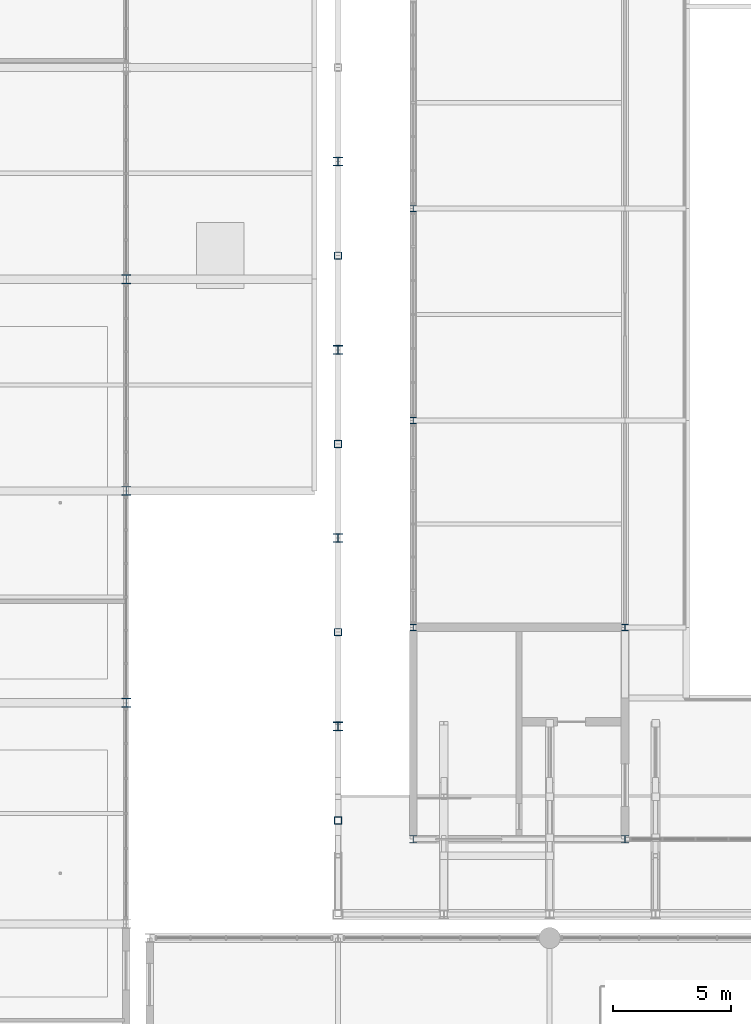
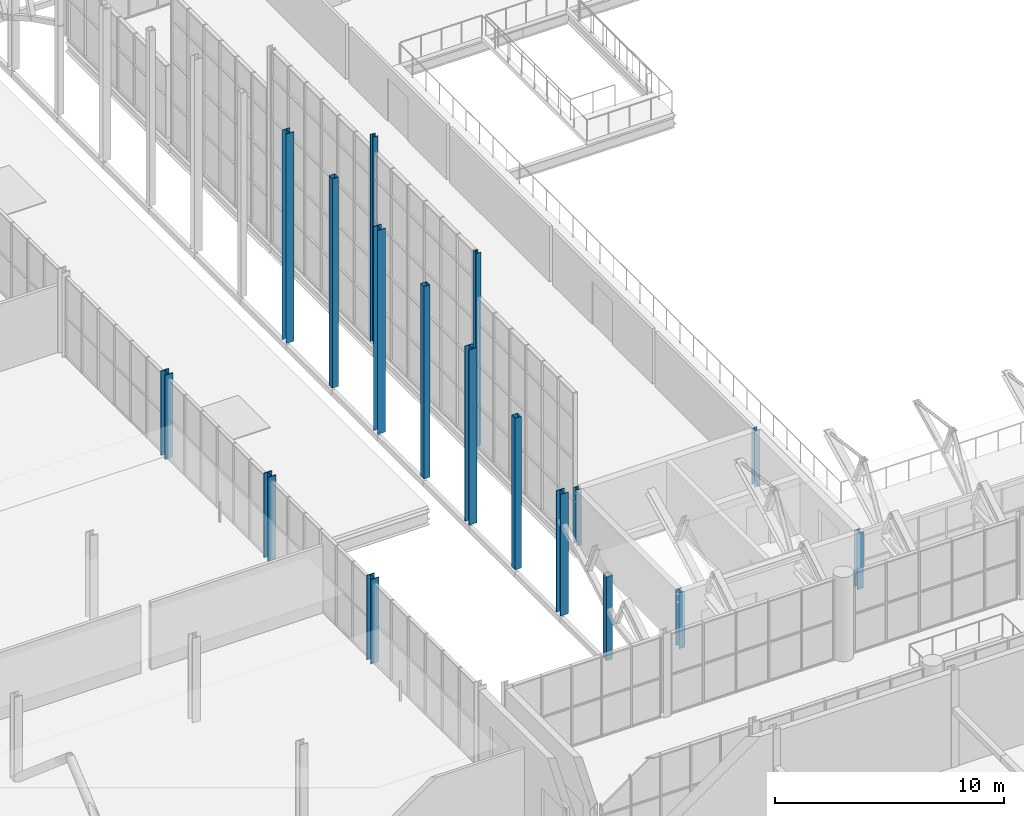
# One storey, part 9 of 134: 17 columns.
"""IFC4 building model written with IfcOpenShell, lengths in metres."""

from ifc_helpers import new_model, si_unit, direction, frame, origin, origin_2d, place, context, subcontext, project, spatial, hollow_rectangle, i_section, extrude, material, material_profile, profile_set, type_object, element, save


model = new_model("IFC4")

# Units and contexts
model_context = context("Model", 3, precision=1e-05, world=origin(), true_north=direction((0.0, 1.0)))
body_context = subcontext(model_context, "Body", "Model", "MODEL_VIEW")
ifc_project = project(units=[si_unit("LENGTHUNIT", "METRE"), si_unit("AREAUNIT", "SQUARE_METRE"), si_unit("VOLUMEUNIT", "CUBIC_METRE"), si_unit("PLANEANGLEUNIT", "RADIAN"), si_unit("MASSUNIT", "GRAM", prefix="KILO")], contexts=[model_context])

# Site, building, storey
site_placement = place(None, origin())
site = spatial("IfcSite", under=ifc_project, at=site_placement, CompositionType="ELEMENT")
building_placement = place(site_placement, origin())
building = spatial("IfcBuilding", under=site, at=building_placement, Name="Cazmaro Siding Exhibition Halls", CompositionType="ELEMENT")
storey_placement = place(building_placement, frame((0.0, 0.0, 12.0)))
storey = spatial("IfcBuildingStorey", under=building, at=storey_placement, Name="L02", CompositionType="ELEMENT", Elevation=12.0)

# Columns
ifc_material_1 = material(Name="Steel ASTM A992 Grade 50", Category="steel")
ifc_material_profile_1 = material_profile(ifc_material_1, i_section(OverallWidth=0.40087890625, OverallDepth=0.39892578125, WebThickness=0.02490234375, FlangeThickness=0.0400390625, at=origin_2d()), Name="W14X211")
ifc_profile_set_1 = profile_set([ifc_material_profile_1], Name="Steel ASTM A992 Grade 50")
column_type_1 = type_object("IfcColumnType", Name="C-02", PredefinedType="COLUMN", material=ifc_profile_set_1)
for number, where, z_axis, x_axis, name in (
    (1, (36.0, 73.0, 0.0), (0.0, 0.0, 1.0), (1.0, 0.0, 0.0), "Column C-02 COL-1051"),
    (2, (36.0, 82.0, 0.0), (0.0, 0.0, 1.0), (1.0, 0.0, 0.0), "Column C-02 COL-1055"),
    (3, (36.0, 91.0, 0.0), (0.0, 0.0, 1.0), (1.0, 0.0, 0.0), "Column C-02 COL-1059"),
):
    element("IfcColumn", number, at=place(storey_placement, frame(where, z_axis=z_axis, x_axis=x_axis)), inside=storey, type_object=column_type_1, Name=name, PredefinedType="COLUMN", context=body_context, shape_type="SweptSolid", body=[
        extrude(i_section(OverallWidth=0.40087890625, OverallDepth=0.39892578125, WebThickness=0.02490234375, FlangeThickness=0.0400390625, at=origin_2d()), origin(), (0.0, 0.0, 1.0), 4.5),
    ])
ifc_material_2 = material(Name="Steel ASTM A992 Grade 50", Category="steel")
ifc_material_profile_2 = material_profile(ifc_material_2, i_section(OverallWidth=0.39208984375, OverallDepth=0.3759765625, WebThickness=0.01708984375, FlangeThickness=0.028076171875, at=origin_2d()), Name="W14X145")
ifc_profile_set_2 = profile_set([ifc_material_profile_2], Name="Steel ASTM A992 Grade 50")
column_type_2 = type_object("IfcColumnType", Name="C-03", PredefinedType="COLUMN", material=ifc_profile_set_2)
column_1_placement = place(storey_placement, frame((45.0, 72.0, 0.0), z_axis=(0.0, 0.0, 1.0), x_axis=(1.0, 0.0, 0.0)))
element("IfcColumn", 4, at=column_1_placement, inside=storey, type_object=column_type_2, Name="Column C-03 COL-0180", PredefinedType="COLUMN", context=body_context, shape_type="SweptSolid", body=[
    extrude(i_section(OverallWidth=0.39208984375, OverallDepth=0.3759765625, WebThickness=0.01708984375, FlangeThickness=0.028076171875, at=origin_2d()), origin(), (0.0, 0.0, 1.0), 6.489013671875),
])
column_2_placement = place(storey_placement, frame((45.0, 80.0, 0.0), z_axis=(0.0, 0.0, 1.0), x_axis=(1.0, 0.0, 0.0)))
element("IfcColumn", 5, at=column_2_placement, inside=storey, type_object=column_type_2, Name="Column C-03 COL-0186", PredefinedType="COLUMN", context=body_context, shape_type="SweptSolid", body=[
    extrude(i_section(OverallWidth=0.39208984375, OverallDepth=0.3759765625, WebThickness=0.01708984375, FlangeThickness=0.028076171875, at=origin_2d()), origin(), (0.0, 0.0, 1.0), 9.35595703125),
])
column_3_placement = place(storey_placement, frame((45.0, 88.0, 0.0), z_axis=(0.0, 0.0, 1.0), x_axis=(1.0, 0.0, 0.0)))
element("IfcColumn", 6, at=column_3_placement, inside=storey, type_object=column_type_2, Name="Column C-03 COL-0192", PredefinedType="COLUMN", context=body_context, shape_type="SweptSolid", body=[
    extrude(i_section(OverallWidth=0.39208984375, OverallDepth=0.3759765625, WebThickness=0.01708984375, FlangeThickness=0.028076171875, at=origin_2d()), origin(), (0.0, 0.0, 1.0), 10.883056640625),
])
column_4_placement = place(storey_placement, frame((45.0, 96.0, 0.0), z_axis=(0.0, 0.0, 1.0), x_axis=(1.0, 0.0, 0.0)))
element("IfcColumn", 7, at=column_4_placement, inside=storey, type_object=column_type_2, Name="Column C-03 COL-0198", PredefinedType="COLUMN", context=body_context, shape_type="SweptSolid", body=[
    extrude(i_section(OverallWidth=0.39208984375, OverallDepth=0.3759765625, WebThickness=0.01708984375, FlangeThickness=0.028076171875, at=origin_2d()), origin(), (0.0, 0.0, 1.0), 11.18310546875),
])
ifc_material_3 = material(Name="Steel ASTM A992 Grade 50", Category="steel")
ifc_material_profile_3 = material_profile(ifc_material_3, i_section(OverallWidth=0.304931640625, OverallDepth=0.306884765625, WebThickness=0.010009765625, FlangeThickness=0.014892578125, at=origin_2d()), Name="W12X65")
ifc_profile_set_3 = profile_set([ifc_material_profile_3], Name="Steel ASTM A992 Grade 50")
column_type_3 = type_object("IfcColumnType", Name="C-06", PredefinedType="COLUMN", material=ifc_profile_set_3)
for number, where, z_axis, x_axis, name in (
    (8, (48.199951171875, 67.199951171875, 0.0), (0.0, 0.0, 1.0), (1.0, 0.0, 0.0), "Column C-06 COL-0261"),
    (9, (57.199951171875, 67.199951171875, 0.0), (0.0, 0.0, 1.0), (1.0, 0.0, 0.0), "Column C-06 COL-0269"),
):
    element("IfcColumn", number, at=place(storey_placement, frame(where, z_axis=z_axis, x_axis=x_axis)), inside=storey, type_object=column_type_3, Name=name, PredefinedType="COLUMN", context=body_context, shape_type="SweptSolid", body=[
        extrude(i_section(OverallWidth=0.304931640625, OverallDepth=0.306884765625, WebThickness=0.010009765625, FlangeThickness=0.014892578125, at=origin_2d()), origin(), (0.0, 0.0, 1.0), 3.0),
    ])
ifc_material_4 = material(Name="Steel ASTM A992 Grade 50", Category="steel")
ifc_material_profile_4 = material_profile(ifc_material_4, i_section(OverallWidth=0.257080078125, OverallDepth=0.263916015625, WebThickness=0.011962890625, FlangeThickness=0.02001953125, at=origin_2d()), Name="W10X68")
ifc_profile_set_4 = profile_set([ifc_material_profile_4], Name="Steel ASTM A992 Grade 50")
column_type_4 = type_object("IfcColumnType", Name="C-14", PredefinedType="COLUMN", material=ifc_profile_set_4)
column_5_placement = place(storey_placement, frame((48.199951171875, 76.199951171875, 0.0), z_axis=(0.0, 0.0, 1.0), x_axis=(1.0, 0.0, 0.0)))
element("IfcColumn", 10, at=column_5_placement, inside=storey, type_object=column_type_4, Name="Column C-14 COL-0393", PredefinedType="COLUMN", context=body_context, shape_type="SweptSolid", body=[
    extrude(i_section(OverallWidth=0.257080078125, OverallDepth=0.263916015625, WebThickness=0.011962890625, FlangeThickness=0.02001953125, at=origin_2d()), origin(), (0.0, 0.0, 1.0), 3.0),
])
column_6_placement = place(storey_placement, frame((48.199951171875, 85.0, 0.0), z_axis=(0.0, 0.0, 1.0), x_axis=(1.0, 0.0, 0.0)))
element("IfcColumn", 11, at=column_6_placement, inside=storey, type_object=column_type_4, Name="Column C-14 COL-0396", PredefinedType="COLUMN", context=body_context, shape_type="SweptSolid", body=[
    extrude(i_section(OverallWidth=0.257080078125, OverallDepth=0.263916015625, WebThickness=0.011962890625, FlangeThickness=0.02001953125, at=origin_2d()), origin(), (0.0, 0.0, 1.0), 10.2880859375),
])
column_7_placement = place(storey_placement, frame((48.199951171875, 94.0, 0.0), z_axis=(0.0, 0.0, 1.0), x_axis=(1.0, 0.0, 0.0)))
element("IfcColumn", 12, at=column_7_placement, inside=storey, type_object=column_type_4, Name="Column C-14 COL-0399", PredefinedType="COLUMN", context=body_context, shape_type="SweptSolid", body=[
    extrude(i_section(OverallWidth=0.257080078125, OverallDepth=0.263916015625, WebThickness=0.011962890625, FlangeThickness=0.02001953125, at=origin_2d()), origin(), (0.0, 0.0, 1.0), 11.050048828125),
])
column_8_placement = place(storey_placement, frame((57.199951171875, 76.199951171875, 0.0), z_axis=(0.0, 0.0, 1.0), x_axis=(1.0, 0.0, 0.0)))
element("IfcColumn", 13, at=column_8_placement, inside=storey, type_object=column_type_4, Name="Column C-14 COL-0405", PredefinedType="COLUMN", context=body_context, shape_type="SweptSolid", body=[
    extrude(i_section(OverallWidth=0.257080078125, OverallDepth=0.263916015625, WebThickness=0.011962890625, FlangeThickness=0.02001953125, at=origin_2d()), origin(), (0.0, 0.0, 1.0), 3.0),
])
ifc_material_5 = material(Name="Steel ASTM A500 Grade C", Category="steel")
ifc_material_profile_5 = material_profile(ifc_material_5, hollow_rectangle(XDim=0.304931640625, YDim=0.304931640625, WallThickness=0.014892578125, at=origin_2d()), Name="HSS12X12X5/8")
ifc_profile_set_5 = profile_set([ifc_material_profile_5], Name="Steel ASTM A500 Grade C")
column_type_5 = type_object("IfcColumnType", Name="PL-02", PredefinedType="PILASTER", material=ifc_profile_set_5)
column_9_placement = place(storey_placement, frame((45.0, 68.0, 0.0), z_axis=(0.0, 0.0, 1.0), x_axis=(1.0, 0.0, 0.0)))
element("IfcColumn", 14, at=column_9_placement, inside=storey, type_object=column_type_5, Name="Column PL-02 COL-0177", PredefinedType="PILASTER", context=body_context, shape_type="SweptSolid", body=[
    extrude(hollow_rectangle(XDim=0.304931640625, YDim=0.304931640625, WallThickness=0.014892578125, at=origin_2d()), origin(), (0.0, 0.0, 1.0), 4.47900390625),
])
column_10_placement = place(storey_placement, frame((45.0, 76.0, 0.0), z_axis=(0.0, 0.0, 1.0), x_axis=(1.0, 0.0, 0.0)))
element("IfcColumn", 15, at=column_10_placement, inside=storey, type_object=column_type_5, Name="Column PL-02 COL-0183", PredefinedType="PILASTER", context=body_context, shape_type="SweptSolid", body=[
    extrude(hollow_rectangle(XDim=0.304931640625, YDim=0.304931640625, WallThickness=0.014892578125, at=origin_2d()), origin(), (0.0, 0.0, 1.0), 8.10205078125),
])
column_11_placement = place(storey_placement, frame((45.0, 84.0, 0.0), z_axis=(0.0, 0.0, 1.0), x_axis=(1.0, 0.0, 0.0)))
element("IfcColumn", 16, at=column_11_placement, inside=storey, type_object=column_type_5, Name="Column PL-02 COL-0189", PredefinedType="PILASTER", context=body_context, shape_type="SweptSolid", body=[
    extrude(hollow_rectangle(XDim=0.304931640625, YDim=0.304931640625, WallThickness=0.014892578125, at=origin_2d()), origin(), (0.0, 0.0, 1.0), 10.277099609375),
])
column_12_placement = place(storey_placement, frame((45.0, 92.0, 0.0), z_axis=(0.0, 0.0, 1.0), x_axis=(1.0, 0.0, 0.0)))
element("IfcColumn", 17, at=column_12_placement, inside=storey, type_object=column_type_5, Name="Column PL-02 COL-0195", PredefinedType="PILASTER", context=body_context, shape_type="SweptSolid", body=[
    extrude(hollow_rectangle(XDim=0.304931640625, YDim=0.304931640625, WallThickness=0.014892578125, at=origin_2d()), origin(), (0.0, 0.0, 1.0), 11.18310546875),
])

save(model, "model.ifc")
